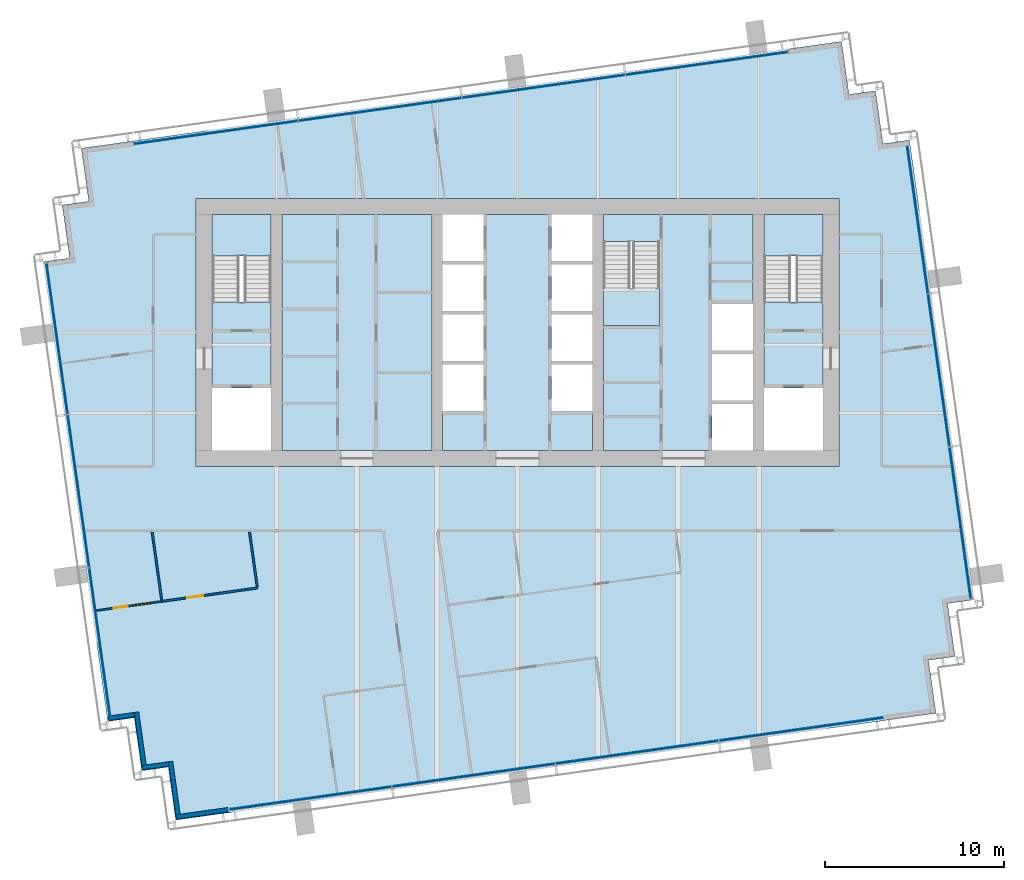
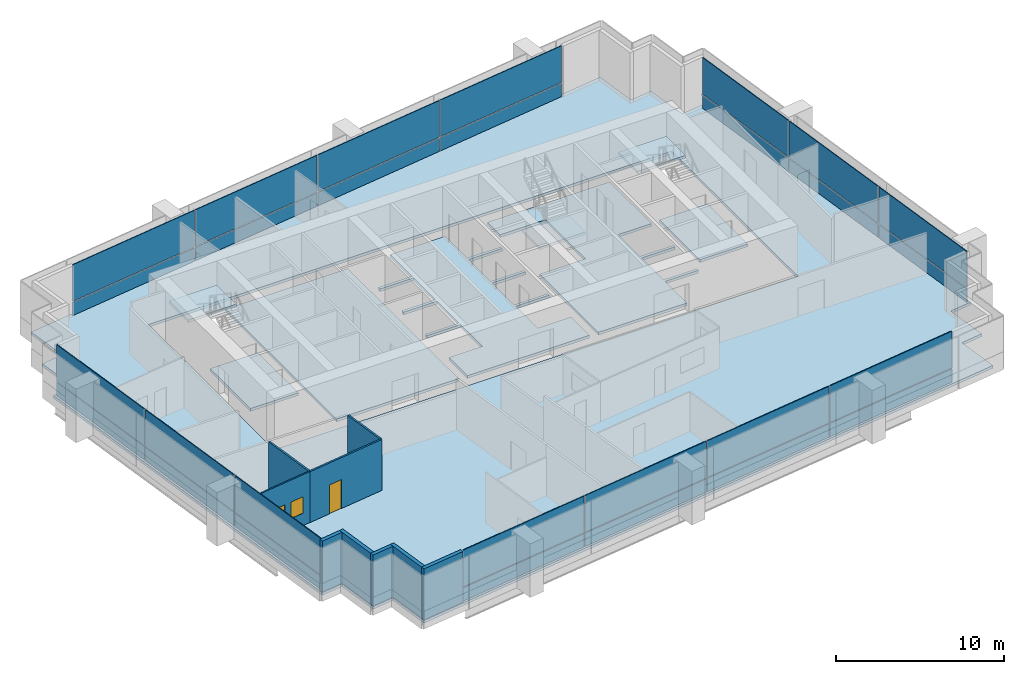
# One storey, part 7 of 15: 28 plates, 9 slabs, 9 walls, 2 doors, 1 window, 3 openings, 7 elements without a shape of their own.
"""IFC4 building model written with IfcOpenShell, lengths in metres."""

from ifc_helpers import new_model, si_unit, direction, frame, frame_2d, origin, origin_2d, place, context, subcontext, project, spatial, polyline, rectangle, outline, extrude, material, layer, layer_set, type_object, element, fill, aggregate, save


model = new_model("IFC4")

# Units and contexts
model_context = context("Model", 3, precision=1e-05, world=origin(), true_north=direction((0.0, 1.0)))
body_context = subcontext(model_context, "Body", "Model", "MODEL_VIEW")
ifc_project = project(units=[si_unit("LENGTHUNIT", "METRE"), si_unit("AREAUNIT", "SQUARE_METRE"), si_unit("VOLUMEUNIT", "CUBIC_METRE"), si_unit("PLANEANGLEUNIT", "RADIAN"), si_unit("MASSUNIT", "GRAM", prefix="KILO")], contexts=[model_context])

# Site, building, storey
site_placement = place(None, origin())
site = spatial("IfcSite", under=ifc_project, at=site_placement, CompositionType="ELEMENT")
building_placement = place(site_placement, origin())
building = spatial("IfcBuilding", under=site, at=building_placement, Name="Rattan Terrace Tower", CompositionType="ELEMENT")
storey_placement = place(building_placement, frame((0.0, 0.0, 262.89990234375)))
storey = spatial("IfcBuildingStorey", under=building, at=storey_placement, Name="L60", CompositionType="ELEMENT", Elevation=262.89990234375)

# Stair, slab
ifc_material_1 = material(Name="Concrete C40/50", Category="concrete")
stair_type = type_object("IfcStairType", Name="Core exit stair 1500", PredefinedType="HALF_TURN_STAIR", material=ifc_material_1)
stair_1_placement = place(storey_placement, origin())
stair_1 = element("IfcStair", 1, at=stair_1_placement, inside=storey, type_object=stair_type, Name="L60 exit stair 1", PredefinedType="HALF_TURN_STAIR")
ifc_material_2 = material(Name="Concrete C40/50", Category="concrete")
ifc_layer_1 = layer(ifc_material_2, 0.199951171875)
ifc_layer_set_1 = layer_set([ifc_layer_1], Name="Core exit stair landing")
slab_type_1 = type_object("IfcSlabType", Name="Core exit stair landing", PredefinedType="LANDING", material=ifc_layer_set_1)
slab_1_placement = place(storey_placement, frame((0.0, 0.0, 1.75)))
slab_1 = element("IfcSlab", 2, at=slab_1_placement, type_object=slab_type_1, Name="S1 landing 1", PredefinedType="LANDING", context=body_context, shape_type="SweptSolid", body=[
    extrude(outline(polyline([(-13.800048828125, 4.300048828125), (-13.800048828125, 6.60009765625), (-17.10009765625, 6.60009765625), (-17.10009765625, 4.300048828125), (-13.800048828125, 4.300048828125)])), origin(), (0.0, 0.0, 1.0), 0.2001953125),
])
aggregate(stair_1, [slab_1])

stair_2_placement = place(storey_placement, origin())
stair_2 = element("IfcStair", 3, at=stair_2_placement, inside=storey, type_object=stair_type, Name="L60 exit stair 2", PredefinedType="HALF_TURN_STAIR")
slab_2_placement = place(storey_placement, frame((0.0, 0.0, 1.75)))
slab_2 = element("IfcSlab", 4, at=slab_2_placement, type_object=slab_type_1, Name="S2 landing 1", PredefinedType="LANDING", context=body_context, shape_type="SweptSolid", body=[
    extrude(outline(polyline([(17.10009765625, 4.300048828125), (17.10009765625, 6.60009765625), (13.800048828125, 6.60009765625), (13.800048828125, 4.300048828125), (17.10009765625, 4.300048828125)])), origin(), (0.0, 0.0, 1.0), 0.2001953125),
])
aggregate(stair_2, [slab_2])

stair_3_placement = place(storey_placement, origin())
stair_3 = element("IfcStair", 5, at=stair_3_placement, inside=storey, type_object=stair_type, Name="L60 exit stair 3", PredefinedType="HALF_TURN_STAIR")
slab_3_placement = place(storey_placement, frame((0.0, 0.0, 1.75)))
slab_3 = element("IfcSlab", 6, at=slab_3_placement, type_object=slab_type_1, Name="S3 landing 1", PredefinedType="LANDING", context=body_context, shape_type="SweptSolid", body=[
    extrude(outline(polyline([(4.800048828125, 2.5), (4.800048828125, 0.39990234375), (7.949951171875, 0.39990234375), (7.949951171875, 2.5), (4.800048828125, 2.5)])), origin(), (0.0, 0.0, 1.0), 0.2001953125),
])
aggregate(stair_3, [slab_3])

# Slabs
ifc_material_3 = material(Name="Concrete C35/45", Category="concrete")
ifc_layer_2 = layer(ifc_material_3, 0.199951171875)
ifc_layer_set_2 = layer_set([ifc_layer_2], Name="Frame composite floor slab 200")
slab_type_2 = type_object("IfcSlabType", Name="Frame composite floor slab 200", PredefinedType="FLOOR", material=ifc_layer_set_2)
slab_4_placement = place(storey_placement, frame((0.0, 0.0, -0.199951171875)))
element("IfcSlab", 7, at=slab_4_placement, inside=storey, type_object=slab_type_2, Name="Floor slab", PredefinedType="FLOOR", context=body_context, shape_type="SweptSolid", body=[
    extrude(outline(polyline([(-16.176025390625, -26.889892578125), (20.464111328125, -21.739990234375), (23.43505859375, -21.322998046875), (23.01806640625, -18.35205078125), (24.5029296875, -18.14306640625), (24.0849609375, -15.173095703125), (25.571044921875, -14.964111328125), (21.951904296875, 10.782958984375), (20.467041015625, 10.573974609375), (20.049072265625, 13.544921875), (18.56396484375, 13.3369140625), (18.14599609375, 16.306884765625), (15.176025390625, 15.889892578125), (-21.464111328125, 10.739990234375), (-24.43505859375, 10.322998046875), (-24.01806640625, 7.35205078125), (-25.5029296875, 7.14306640625), (-25.0849609375, 4.173095703125), (-26.571044921875, 3.964111328125), (-22.951904296875, -21.782958984375), (-21.467041015625, -21.573974609375), (-21.049072265625, -24.544921875), (-19.56396484375, -24.3369140625), (-19.14599609375, -27.306884765625), (-16.176025390625, -26.889892578125)]), holes=[polyline([(-18.0, -7.5), (18.0, -7.5), (18.0, -6.60009765625), (18.0, 6.60009765625), (18.0, 7.5), (-18.0, 7.5), (-18.0, 6.60009765625), (-18.0, -6.60009765625), (-18.0, -7.5)])]), origin(), (0.0, 0.0, 1.0), 0.199951171875),
])
slab_5_placement = place(storey_placement, frame((0.0, 0.0, -0.199951171875)))
element("IfcSlab", 8, at=slab_5_placement, inside=storey, type_object=slab_type_2, Name="Floor slab", PredefinedType="FLOOR", context=body_context, shape_type="SweptSolid", body=[
    extrude(outline(polyline([(13.199951171875, 6.60009765625), (4.800048828125, 6.60009765625), (4.800048828125, 5.090087890625), (7.949951171875, 5.090087890625), (7.949951171875, 0.39990234375), (4.800048828125, 0.39990234375), (4.800048828125, -6.60009765625), (10.89990234375, -6.60009765625), (10.89990234375, -4.0), (13.199951171875, -4.0), (13.199951171875, -3.800048828125), (10.89990234375, -3.800048828125), (10.89990234375, -1.199951171875), (13.199951171875, -1.199951171875), (13.199951171875, -1.0), (10.89990234375, -1.0), (10.89990234375, 1.60009765625), (13.199951171875, 1.60009765625), (13.199951171875, 6.60009765625)])), origin(), (0.0, 0.0, 1.0), 0.199951171875),
])
slab_6_placement = place(storey_placement, frame((0.0, 0.0, -0.199951171875)))
element("IfcSlab", 9, at=slab_6_placement, inside=storey, type_object=slab_type_2, Name="Floor slab", PredefinedType="FLOOR", context=body_context, shape_type="SweptSolid", body=[
    extrude(outline(polyline([(1.89990234375, 6.60009765625), (-1.89990234375, 6.60009765625), (-1.89990234375, 4.0), (-4.199951171875, 4.0), (-4.199951171875, 3.800048828125), (-1.89990234375, 3.800048828125), (-1.89990234375, 1.199951171875), (-4.199951171875, 1.199951171875), (-4.199951171875, 1.0), (-1.89990234375, 1.0), (-1.89990234375, -1.60009765625), (-4.199951171875, -1.60009765625), (-4.199951171875, -1.800048828125), (-1.89990234375, -1.800048828125), (-1.89990234375, -4.39990234375), (-4.199951171875, -4.39990234375), (-4.199951171875, -6.60009765625), (4.199951171875, -6.60009765625), (4.199951171875, -4.39990234375), (1.89990234375, -4.39990234375), (1.89990234375, -1.800048828125), (4.199951171875, -1.800048828125), (4.199951171875, -1.60009765625), (1.89990234375, -1.60009765625), (1.89990234375, 1.0), (4.199951171875, 1.0), (4.199951171875, 1.199951171875), (1.89990234375, 1.199951171875), (1.89990234375, 3.800048828125), (4.199951171875, 3.800048828125), (4.199951171875, 4.0), (1.89990234375, 4.0), (1.89990234375, 6.60009765625)])), origin(), (0.0, 0.0, 1.0), 0.199951171875),
])
slab_7_placement = place(storey_placement, frame((0.0, 0.0, -0.199951171875)))
element("IfcSlab", 10, at=slab_7_placement, inside=storey, type_object=slab_type_2, Name="Floor slab", PredefinedType="FLOOR", context=body_context, shape_type="SweptSolid", body=[
    extrude(outline(polyline([(-17.10009765625, -3.10009765625), (-13.800048828125, -3.10009765625), (-13.800048828125, 1.7099609375), (-17.10009765625, 1.7099609375), (-17.10009765625, -3.10009765625)])), origin(), (0.0, 0.0, 1.0), 0.199951171875),
])
slab_8_placement = place(storey_placement, frame((0.0, 0.0, -0.199951171875)))
element("IfcSlab", 11, at=slab_8_placement, inside=storey, type_object=slab_type_2, Name="Floor slab", PredefinedType="FLOOR", context=body_context, shape_type="SweptSolid", body=[
    extrude(outline(polyline([(-4.800048828125, -6.60009765625), (-4.800048828125, 6.60009765625), (-13.199951171875, 6.60009765625), (-13.199951171875, -6.60009765625), (-4.800048828125, -6.60009765625)])), origin(), (0.0, 0.0, 1.0), 0.199951171875),
])
slab_9_placement = place(storey_placement, frame((0.0, 0.0, -0.199951171875)))
element("IfcSlab", 12, at=slab_9_placement, inside=storey, type_object=slab_type_2, Name="Floor slab", PredefinedType="FLOOR", context=body_context, shape_type="SweptSolid", body=[
    extrude(outline(polyline([(13.800048828125, -3.10009765625), (17.10009765625, -3.10009765625), (17.10009765625, 1.7099609375), (13.800048828125, 1.7099609375), (13.800048828125, -3.10009765625)])), origin(), (0.0, 0.0, 1.0), 0.199951171875),
])

# Curtain wall, plates
ifc_material_4 = material(Name="Aluminium and laminated glass", Category="aluminium")
ifc_layer_3 = layer(ifc_material_4, 0.199951171875)
ifc_layer_set_3 = layer_set([ifc_layer_3], Name="High-Zone Unitised Curtain Wall")
curtain_wall_type = type_object("IfcCurtainWallType", Name="High-Zone Unitised Curtain Wall", PredefinedType="NOTDEFINED", material=ifc_layer_set_3)
curtain_wall_1_placement = place(storey_placement, origin())
curtain_wall_1 = element("IfcCurtainWall", 13, at=curtain_wall_1_placement, inside=storey, type_object=curtain_wall_type, Name="High-zone curtain wall L60-1", PredefinedType="NOTDEFINED")
ifc_material_5 = material(Name="Aluminium insulated spandrel panel", Category="aluminium")
ifc_layer_4 = layer(ifc_material_5, 0.050048828125)
ifc_layer_set_4 = layer_set([ifc_layer_4], Name="High-Zone CW Spandrel Panel")
plate_type_1 = type_object("IfcPlateType", Name="High-Zone CW Spandrel Panel", PredefinedType="CURTAIN_PANEL", material=ifc_layer_set_4)
plate_1_placement = place(storey_placement, frame((24.7939453125, -10.65673828125, 0.0), z_axis=(0.0, 0.0, 1.0), x_axis=(-0.139191775431, 0.990265444036, 0.0)))
plate_1 = element("IfcPlate", 14, at=plate_1_placement, type_object=plate_type_1, Name="Panel cwl-L60-001.1.1", PredefinedType="CURTAIN_PANEL", context=body_context, shape_type="SweptSolid", body=[
    extrude(rectangle(XDim=8.51708984375, YDim=0.050048828125, at=origin_2d()), origin(), (0.0, 0.0, 1.0), 0.965087890625),
])
plate_2_placement = place(storey_placement, frame((23.593017578125, -2.11376953125, 0.0), z_axis=(0.0, 0.0, 1.0), x_axis=(-0.139191775431, 0.990265444036, 0.0)))
plate_2 = element("IfcPlate", 15, at=plate_2_placement, type_object=plate_type_1, Name="Panel cwl-L60-001.2.1", PredefinedType="CURTAIN_PANEL", context=body_context, shape_type="SweptSolid", body=[
    extrude(rectangle(XDim=8.596923828125, YDim=0.050048828125, at=origin_2d()), origin(), (0.0, 0.0, 1.0), 0.965087890625),
])
plate_3_placement = place(storey_placement, frame((22.40478515625, 6.339599609375, 0.0), z_axis=(0.0, 0.0, 1.0), x_axis=(-0.139191775431, 0.990265444036, 0.0)))
plate_3 = element("IfcPlate", 16, at=plate_3_placement, type_object=plate_type_1, Name="Panel cwl-L60-001.3.1", PredefinedType="CURTAIN_PANEL", context=body_context, shape_type="SweptSolid", body=[
    extrude(rectangle(XDim=8.336181640625, YDim=0.050048828125, at=origin_2d()), origin(), (0.0, 0.0, 1.0), 0.965087890625),
])

curtain_wall_2_placement = place(storey_placement, origin())
curtain_wall_2 = element("IfcCurtainWall", 17, at=curtain_wall_2_placement, inside=storey, type_object=curtain_wall_type, Name="High-zone curtain wall L60-2", PredefinedType="NOTDEFINED")
plate_4_placement = place(storey_placement, frame((10.602783203125, 15.075439453125, 0.0), z_axis=(0.0, 0.0, 1.0), x_axis=(-0.990265894013, -0.139188574079, 0.0)))
plate_4 = element("IfcPlate", 18, at=plate_4_placement, type_object=plate_type_1, Name="Panel cwl-L60-002.1.1", PredefinedType="CURTAIN_PANEL", context=body_context, shape_type="SweptSolid", body=[
    extrude(rectangle(XDim=9.14404296875, YDim=0.050048828125, at=origin_2d()), origin(), (0.0, 0.0, 1.0), 0.965087890625),
])
plate_5_placement = place(storey_placement, frame((1.461181640625, 13.79052734375, 0.0), z_axis=(0.0, 0.0, 1.0), x_axis=(-0.990265894013, -0.139188574079, 0.0)))
plate_5 = element("IfcPlate", 19, at=plate_5_placement, type_object=plate_type_1, Name="Panel cwl-L60-002.2.1", PredefinedType="CURTAIN_PANEL", context=body_context, shape_type="SweptSolid", body=[
    extrude(rectangle(XDim=9.178955078125, YDim=0.050048828125, at=origin_2d()), origin(), (0.0, 0.0, 1.0), 0.965087890625),
])
plate_6_placement = place(storey_placement, frame((-7.69775390625, 12.503173828125, 0.0), z_axis=(0.0, 0.0, 1.0), x_axis=(-0.990265894013, -0.139188574079, 0.0)))
plate_6 = element("IfcPlate", 20, at=plate_6_placement, type_object=plate_type_1, Name="Panel cwl-L60-002.3.1", PredefinedType="CURTAIN_PANEL", context=body_context, shape_type="SweptSolid", body=[
    extrude(rectangle(XDim=9.178955078125, YDim=0.050048828125, at=origin_2d()), origin(), (0.0, 0.0, 1.0), 0.965087890625),
])
plate_7_placement = place(storey_placement, frame((-16.876220703125, 11.213134765625, 0.0), z_axis=(0.0, 0.0, 1.0), x_axis=(-0.990265894013, -0.139188574079, 0.0)))
plate_7 = element("IfcPlate", 21, at=plate_7_placement, type_object=plate_type_1, Name="Panel cwl-L60-002.4.1", PredefinedType="CURTAIN_PANEL", context=body_context, shape_type="SweptSolid", body=[
    extrude(rectangle(XDim=9.21826171875, YDim=0.050048828125, at=origin_2d()), origin(), (0.0, 0.0, 1.0), 0.965087890625),
])

curtain_wall_3_placement = place(storey_placement, origin())
curtain_wall_3 = element("IfcCurtainWall", 22, at=curtain_wall_3_placement, inside=storey, type_object=curtain_wall_type, Name="High-zone curtain wall L60-3", PredefinedType="NOTDEFINED")
plate_8_placement = place(storey_placement, frame((-25.7939453125, -0.34326171875, 0.0), z_axis=(0.0, 0.0, 1.0), x_axis=(0.139191775431, -0.990265444036, 0.0)))
plate_8 = element("IfcPlate", 23, at=plate_8_placement, type_object=plate_type_1, Name="Panel cwl-L60-003.1.1", PredefinedType="CURTAIN_PANEL", context=body_context, shape_type="SweptSolid", body=[
    extrude(rectangle(XDim=8.51708984375, YDim=0.050048828125, at=origin_2d()), origin(), (0.0, 0.0, 1.0), 0.965087890625),
])
plate_9_placement = place(storey_placement, frame((-24.593017578125, -8.88623046875, 0.0), z_axis=(0.0, 0.0, 1.0), x_axis=(0.139191775431, -0.990265444036, 0.0)))
plate_9 = element("IfcPlate", 24, at=plate_9_placement, type_object=plate_type_1, Name="Panel cwl-L60-003.2.1", PredefinedType="CURTAIN_PANEL", context=body_context, shape_type="SweptSolid", body=[
    extrude(rectangle(XDim=8.596923828125, YDim=0.050048828125, at=origin_2d()), origin(), (0.0, 0.0, 1.0), 0.965087890625),
])
plate_10_placement = place(storey_placement, frame((-23.40478515625, -17.339599609375, 0.0), z_axis=(0.0, 0.0, 1.0), x_axis=(0.139191775431, -0.990265444036, 0.0)))
plate_10 = element("IfcPlate", 25, at=plate_10_placement, type_object=plate_type_1, Name="Panel cwl-L60-003.3.1", PredefinedType="CURTAIN_PANEL", context=body_context, shape_type="SweptSolid", body=[
    extrude(rectangle(XDim=8.336181640625, YDim=0.050048828125, at=origin_2d()), origin(), (0.0, 0.0, 1.0), 0.965087890625),
])

curtain_wall_4_placement = place(storey_placement, origin())
curtain_wall_4 = element("IfcCurtainWall", 26, at=curtain_wall_4_placement, inside=storey, type_object=curtain_wall_type, Name="High-zone curtain wall L60-4", PredefinedType="NOTDEFINED")
plate_11_placement = place(storey_placement, frame((-11.602783203125, -26.075439453125, 0.0), z_axis=(0.0, 0.0, 1.0), x_axis=(0.990265894013, 0.139188574079, 0.0)))
plate_11 = element("IfcPlate", 27, at=plate_11_placement, type_object=plate_type_1, Name="Panel cwl-L60-004.1.1", PredefinedType="CURTAIN_PANEL", context=body_context, shape_type="SweptSolid", body=[
    extrude(rectangle(XDim=9.14404296875, YDim=0.050048828125, at=origin_2d()), origin(), (0.0, 0.0, 1.0), 0.965087890625),
])
plate_12_placement = place(storey_placement, frame((-2.461181640625, -24.79052734375, 0.0), z_axis=(0.0, 0.0, 1.0), x_axis=(0.990265894013, 0.139188574079, 0.0)))
plate_12 = element("IfcPlate", 28, at=plate_12_placement, type_object=plate_type_1, Name="Panel cwl-L60-004.2.1", PredefinedType="CURTAIN_PANEL", context=body_context, shape_type="SweptSolid", body=[
    extrude(rectangle(XDim=9.178955078125, YDim=0.050048828125, at=origin_2d()), origin(), (0.0, 0.0, 1.0), 0.965087890625),
])
plate_13_placement = place(storey_placement, frame((6.69775390625, -23.503173828125, 0.0), z_axis=(0.0, 0.0, 1.0), x_axis=(0.990265894013, 0.139188574079, 0.0)))
plate_13 = element("IfcPlate", 29, at=plate_13_placement, type_object=plate_type_1, Name="Panel cwl-L60-004.3.1", PredefinedType="CURTAIN_PANEL", context=body_context, shape_type="SweptSolid", body=[
    extrude(rectangle(XDim=9.178955078125, YDim=0.050048828125, at=origin_2d()), origin(), (0.0, 0.0, 1.0), 0.965087890625),
])
plate_14_placement = place(storey_placement, frame((15.876220703125, -22.213134765625, 0.0), z_axis=(0.0, 0.0, 1.0), x_axis=(0.990265894013, 0.139188574079, 0.0)))
plate_14 = element("IfcPlate", 30, at=plate_14_placement, type_object=plate_type_1, Name="Panel cwl-L60-004.4.1", PredefinedType="CURTAIN_PANEL", context=body_context, shape_type="SweptSolid", body=[
    extrude(rectangle(XDim=9.21826171875, YDim=0.050048828125, at=origin_2d()), origin(), (0.0, 0.0, 1.0), 0.965087890625),
])

# Plate
ifc_material_6 = material(Name="Laminated low-iron glass", Category="glass")
ifc_layer_5 = layer(ifc_material_6, 0.055908203125)
ifc_layer_set_5 = layer_set([ifc_layer_5], Name="High-Zone CW Vision Panel")
plate_type_2 = type_object("IfcPlateType", Name="High-Zone CW Vision Panel", PredefinedType="CURTAIN_PANEL", material=ifc_layer_set_5)
plate_15_placement = place(storey_placement, frame((24.7939453125, -10.65673828125, 1.03515625), z_axis=(0.0, 0.0, 1.0), x_axis=(-0.139191775431, 0.990265444036, 0.0)))
plate_15 = element("IfcPlate", 31, at=plate_15_placement, type_object=plate_type_2, Name="Panel cwl-L60-001.1.2", PredefinedType="CURTAIN_PANEL", context=body_context, shape_type="SweptSolid", body=[
    extrude(rectangle(XDim=8.51708984375, YDim=0.055908203125, at=origin_2d()), origin(), (0.0, 0.0, 1.0), 2.6650390625),
])

plate_16_placement = place(storey_placement, frame((23.593017578125, -2.11376953125, 1.03515625), z_axis=(0.0, 0.0, 1.0), x_axis=(-0.139191775431, 0.990265444036, 0.0)))
plate_16 = element("IfcPlate", 32, at=plate_16_placement, type_object=plate_type_2, Name="Panel cwl-L60-001.2.2", PredefinedType="CURTAIN_PANEL", context=body_context, shape_type="SweptSolid", body=[
    extrude(rectangle(XDim=8.596923828125, YDim=0.055908203125, at=origin_2d()), origin(), (0.0, 0.0, 1.0), 2.6650390625),
])

plate_17_placement = place(storey_placement, frame((22.40478515625, 6.339599609375, 1.03515625), z_axis=(0.0, 0.0, 1.0), x_axis=(-0.139191775431, 0.990265444036, 0.0)))
plate_17 = element("IfcPlate", 33, at=plate_17_placement, type_object=plate_type_2, Name="Panel cwl-L60-001.3.2", PredefinedType="CURTAIN_PANEL", context=body_context, shape_type="SweptSolid", body=[
    extrude(rectangle(XDim=8.336181640625, YDim=0.055908203125, at=origin_2d()), origin(), (0.0, 0.0, 1.0), 2.6650390625),
])

aggregate(curtain_wall_1, [plate_1, plate_15, plate_2, plate_16, plate_3, plate_17])

plate_18_placement = place(storey_placement, frame((10.602783203125, 15.075439453125, 1.03515625), z_axis=(0.0, 0.0, 1.0), x_axis=(-0.990265894013, -0.139188574079, 0.0)))
plate_18 = element("IfcPlate", 34, at=plate_18_placement, type_object=plate_type_2, Name="Panel cwl-L60-002.1.2", PredefinedType="CURTAIN_PANEL", context=body_context, shape_type="SweptSolid", body=[
    extrude(rectangle(XDim=9.14404296875, YDim=0.055908203125, at=origin_2d()), origin(), (0.0, 0.0, 1.0), 2.6650390625),
])

plate_19_placement = place(storey_placement, frame((1.461181640625, 13.79052734375, 1.03515625), z_axis=(0.0, 0.0, 1.0), x_axis=(-0.990265894013, -0.139188574079, 0.0)))
plate_19 = element("IfcPlate", 35, at=plate_19_placement, type_object=plate_type_2, Name="Panel cwl-L60-002.2.2", PredefinedType="CURTAIN_PANEL", context=body_context, shape_type="SweptSolid", body=[
    extrude(rectangle(XDim=9.178955078125, YDim=0.055908203125, at=origin_2d()), origin(), (0.0, 0.0, 1.0), 2.6650390625),
])

plate_20_placement = place(storey_placement, frame((-7.69775390625, 12.503173828125, 1.03515625), z_axis=(0.0, 0.0, 1.0), x_axis=(-0.990265894013, -0.139188574079, 0.0)))
plate_20 = element("IfcPlate", 36, at=plate_20_placement, type_object=plate_type_2, Name="Panel cwl-L60-002.3.2", PredefinedType="CURTAIN_PANEL", context=body_context, shape_type="SweptSolid", body=[
    extrude(rectangle(XDim=9.178955078125, YDim=0.055908203125, at=origin_2d()), origin(), (0.0, 0.0, 1.0), 2.6650390625),
])

plate_21_placement = place(storey_placement, frame((-16.876220703125, 11.213134765625, 1.03515625), z_axis=(0.0, 0.0, 1.0), x_axis=(-0.990265894013, -0.139188574079, 0.0)))
plate_21 = element("IfcPlate", 37, at=plate_21_placement, type_object=plate_type_2, Name="Panel cwl-L60-002.4.2", PredefinedType="CURTAIN_PANEL", context=body_context, shape_type="SweptSolid", body=[
    extrude(rectangle(XDim=9.21826171875, YDim=0.055908203125, at=origin_2d()), origin(), (0.0, 0.0, 1.0), 2.6650390625),
])

aggregate(curtain_wall_2, [plate_4, plate_18, plate_5, plate_19, plate_6, plate_20, plate_7, plate_21])

plate_22_placement = place(storey_placement, frame((-25.7939453125, -0.34326171875, 1.03515625), z_axis=(0.0, 0.0, 1.0), x_axis=(0.139191775431, -0.990265444036, 0.0)))
plate_22 = element("IfcPlate", 38, at=plate_22_placement, type_object=plate_type_2, Name="Panel cwl-L60-003.1.2", PredefinedType="CURTAIN_PANEL", context=body_context, shape_type="SweptSolid", body=[
    extrude(rectangle(XDim=8.51708984375, YDim=0.055908203125, at=origin_2d()), origin(), (0.0, 0.0, 1.0), 2.6650390625),
])

plate_23_placement = place(storey_placement, frame((-24.593017578125, -8.88623046875, 1.03515625), z_axis=(0.0, 0.0, 1.0), x_axis=(0.139191775431, -0.990265444036, 0.0)))
plate_23 = element("IfcPlate", 39, at=plate_23_placement, type_object=plate_type_2, Name="Panel cwl-L60-003.2.2", PredefinedType="CURTAIN_PANEL", context=body_context, shape_type="SweptSolid", body=[
    extrude(rectangle(XDim=8.596923828125, YDim=0.055908203125, at=origin_2d()), origin(), (0.0, 0.0, 1.0), 2.6650390625),
])

plate_24_placement = place(storey_placement, frame((-23.40478515625, -17.339599609375, 1.03515625), z_axis=(0.0, 0.0, 1.0), x_axis=(0.139191775431, -0.990265444036, 0.0)))
plate_24 = element("IfcPlate", 40, at=plate_24_placement, type_object=plate_type_2, Name="Panel cwl-L60-003.3.2", PredefinedType="CURTAIN_PANEL", context=body_context, shape_type="SweptSolid", body=[
    extrude(rectangle(XDim=8.336181640625, YDim=0.055908203125, at=origin_2d()), origin(), (0.0, 0.0, 1.0), 2.6650390625),
])

aggregate(curtain_wall_3, [plate_8, plate_22, plate_9, plate_23, plate_10, plate_24])

plate_25_placement = place(storey_placement, frame((-11.602783203125, -26.075439453125, 1.03515625), z_axis=(0.0, 0.0, 1.0), x_axis=(0.990265894013, 0.139188574079, 0.0)))
plate_25 = element("IfcPlate", 41, at=plate_25_placement, type_object=plate_type_2, Name="Panel cwl-L60-004.1.2", PredefinedType="CURTAIN_PANEL", context=body_context, shape_type="SweptSolid", body=[
    extrude(rectangle(XDim=9.14404296875, YDim=0.055908203125, at=origin_2d()), origin(), (0.0, 0.0, 1.0), 2.6650390625),
])

plate_26_placement = place(storey_placement, frame((-2.461181640625, -24.79052734375, 1.03515625), z_axis=(0.0, 0.0, 1.0), x_axis=(0.990265894013, 0.139188574079, 0.0)))
plate_26 = element("IfcPlate", 42, at=plate_26_placement, type_object=plate_type_2, Name="Panel cwl-L60-004.2.2", PredefinedType="CURTAIN_PANEL", context=body_context, shape_type="SweptSolid", body=[
    extrude(rectangle(XDim=9.178955078125, YDim=0.055908203125, at=origin_2d()), origin(), (0.0, 0.0, 1.0), 2.6650390625),
])

plate_27_placement = place(storey_placement, frame((6.69775390625, -23.503173828125, 1.03515625), z_axis=(0.0, 0.0, 1.0), x_axis=(0.990265894013, 0.139188574079, 0.0)))
plate_27 = element("IfcPlate", 43, at=plate_27_placement, type_object=plate_type_2, Name="Panel cwl-L60-004.3.2", PredefinedType="CURTAIN_PANEL", context=body_context, shape_type="SweptSolid", body=[
    extrude(rectangle(XDim=9.178955078125, YDim=0.055908203125, at=origin_2d()), origin(), (0.0, 0.0, 1.0), 2.6650390625),
])

plate_28_placement = place(storey_placement, frame((15.876220703125, -22.213134765625, 1.03515625), z_axis=(0.0, 0.0, 1.0), x_axis=(0.990265894013, 0.139188574079, 0.0)))
plate_28 = element("IfcPlate", 44, at=plate_28_placement, type_object=plate_type_2, Name="Panel cwl-L60-004.4.2", PredefinedType="CURTAIN_PANEL", context=body_context, shape_type="SweptSolid", body=[
    extrude(rectangle(XDim=9.21826171875, YDim=0.055908203125, at=origin_2d()), origin(), (0.0, 0.0, 1.0), 2.6650390625),
])

aggregate(curtain_wall_4, [plate_11, plate_25, plate_12, plate_26, plate_13, plate_27, plate_14, plate_28])

# Walls
ifc_material_7 = material(Name="Insulated aluminium-clad stud wall", Category="aluminium")
ifc_layer_6 = layer(ifc_material_7, 0.25)
ifc_layer_set_6 = layer_set([ifc_layer_6], Name="Facade Riser Wall 250")
wall_type_1 = type_object("IfcWallType", Name="Facade Riser Wall 250", PredefinedType="SOLIDWALL", material=ifc_layer_set_6)
wall_1_placement = place(storey_placement, frame((-22.90625, -21.60498046875, 0.0), z_axis=(0.0, 0.0, 1.0), x_axis=(0.990235520307, 0.13940449893, 0.0)))
element("IfcWall", 45, at=wall_1_placement, inside=storey, type_object=wall_type_1, Name="Riser wall L60-16", PredefinedType="SOLIDWALL", context=body_context, shape_type="SweptSolid", body=[
    extrude(rectangle(XDim=1.474609375, YDim=0.25, at=frame_2d((0.7373046875, 0.0))), origin(), (0.0, 0.0, 1.0), 3.7001953125),
])
wall_2_placement = place(storey_placement, frame((-21.33984375, -21.25830078125, 0.0), z_axis=(0.0, 0.0, 1.0), x_axis=(0.139393225799, -0.990237107263, 0.0)))
element("IfcWall", 46, at=wall_2_placement, inside=storey, type_object=wall_type_1, Name="Riser wall L60-17", PredefinedType="SOLIDWALL", context=body_context, shape_type="SweptSolid", body=[
    extrude(rectangle(XDim=3.000244140625, YDim=0.25, at=frame_2d((1.5, 0.0))), origin(), (0.0, 0.0, 1.0), 3.7001953125),
])
wall_3_placement = place(storey_placement, frame((-21.028076171875, -24.370361328125, 0.0), z_axis=(0.0, 0.0, 1.0), x_axis=(0.990330117064, 0.138730887823, 0.0)))
element("IfcWall", 47, at=wall_3_placement, inside=storey, type_object=wall_type_1, Name="Riser wall L60-18", PredefinedType="SOLIDWALL", context=body_context, shape_type="SweptSolid", body=[
    extrude(rectangle(XDim=1.499267578125, YDim=0.25, at=frame_2d((0.74951171875, 0.0))), origin(), (0.0, 0.0, 1.0), 3.7001953125),
])
wall_4_placement = place(storey_placement, frame((-19.436767578125, -24.021240234375, 0.0), z_axis=(0.0, 0.0, 1.0), x_axis=(0.139358350296, -0.990242015975, 0.0)))
element("IfcWall", 48, at=wall_4_placement, inside=storey, type_object=wall_type_1, Name="Riser wall L60-19", PredefinedType="SOLIDWALL", context=body_context, shape_type="SweptSolid", body=[
    extrude(rectangle(XDim=2.999267578125, YDim=0.25, at=frame_2d((1.49951171875, 0.0))), origin(), (0.0, 0.0, 1.0), 3.7001953125),
])
wall_5_placement = place(storey_placement, frame((-19.125244140625, -27.13232421875, 0.0), z_axis=(0.0, 0.0, 1.0), x_axis=(0.990291981483, 0.139002846771, 0.0)))
element("IfcWall", 49, at=wall_5_placement, inside=storey, type_object=wall_type_1, Name="Riser wall L60-20", PredefinedType="SOLIDWALL", context=body_context, shape_type="SweptSolid", body=[
    extrude(rectangle(XDim=2.9541015625, YDim=0.25, at=frame_2d((1.47705078125, 0.0))), origin(), (0.0, 0.0, 1.0), 3.7001953125),
])

# Wall, openings, door, window
ifc_material_8 = material(Name="Gypsum board partition on steel studs", Category="steel")
ifc_layer_7 = layer(ifc_material_8, 0.10009765625)
ifc_layer_set_7 = layer_set([ifc_layer_7], Name="Floors Partition 100")
wall_type_2 = type_object("IfcWallType", Name="Floors Partition 100", PredefinedType="PARTITIONING", material=ifc_layer_set_7)
wall_6_placement = place(storey_placement, frame((-23.56298828125, -15.56689453125, 0.0), z_axis=(0.0, 0.0, 1.0), x_axis=(0.990288176908, 0.139029948846, 0.0)))
wall_6 = element("IfcWall", 50, at=wall_6_placement, inside=storey, type_object=wall_type_2, Name="pt-L60-022", PredefinedType="PARTITIONING", context=body_context, shape_type="SweptSolid", body=[
    extrude(rectangle(XDim=3.65966796875, YDim=0.10009765625, at=frame_2d((1.829833984375, 0.0))), origin(), (0.0, 0.0, 1.0), 3.7001953125),
])
opening_1_placement = place(wall_6_placement, frame((0.9580078125, 0.0, 0.0)))
opening_1 = element("IfcOpeningElement", 51, at=opening_1_placement, cuts=wall_6, Name="Opening L60-D102", PredefinedType="OPENING", context=body_context, shape_type="SweptSolid", body=[
    extrude(rectangle(XDim=0.800048828125, YDim=2.10009765625, at=frame_2d((0.39990234375, 1.050048828125))), frame((0.0, 0.060546875, 0.0), z_axis=(0.0, -1.0, 0.0), x_axis=(1.0, 0.0, 0.0)), (0.0, 0.0, 1.0), 0.12109375),
])
opening_2_placement = place(wall_6_placement, frame((2.239013671875, 0.0, 0.89990234375)))
opening_2 = element("IfcOpeningElement", 52, at=opening_2_placement, cuts=wall_6, Name="Opening L60-W100", PredefinedType="OPENING", context=body_context, shape_type="SweptSolid", body=[
    extrude(rectangle(XDim=0.89990234375, YDim=1.199951171875, at=frame_2d((0.449951171875, 0.60009765625))), frame((0.0, 0.060546875, 0.0), z_axis=(0.0, -1.0, 0.0), x_axis=(1.0, 0.0, 0.0)), (0.0, 0.0, 1.0), 0.12109375),
])
ifc_material_9 = material(Name="Solid core timber door, painted", Category="wood")
door_type_1 = type_object("IfcDoorType", Name="Floors Store Door 800x2100", OperationType="NOTDEFINED", PredefinedType="DOOR", material=ifc_material_9)
door_1_placement = place(opening_1_placement, origin())
door_1 = element("IfcDoor", 53, at=door_1_placement, inside=storey, type_object=door_type_1, Name="d-L60-102", OperationType="SINGLE_SWING_LEFT", OverallHeight=2.10009765625, OverallWidth=0.800048828125, PredefinedType="DOOR", context=body_context, shape_type="SweptSolid", body=[
    extrude(rectangle(XDim=0.800048828125, YDim=2.10009765625, at=frame_2d((0.39990234375, 1.050048828125))), frame((0.0, 0.02490234375, 0.0), z_axis=(0.0, -1.0, 0.0), x_axis=(1.0, 0.0, 0.0)), (0.0, 0.0, 1.0), 0.050048828125),
])
fill(opening_1, door_1)
ifc_material_10 = material(Name="Glass, clear, fixed in aluminium frame", Category="aluminium")
window_type = type_object("IfcWindowType", Name="Interior Vision Window 900x1200", PartitioningType="SINGLE_PANEL", PredefinedType="WINDOW", material=ifc_material_10)
window_placement = place(opening_2_placement, origin())
window = element("IfcWindow", 54, at=window_placement, inside=storey, type_object=window_type, Name="w-L60-100", OverallHeight=1.199951171875, OverallWidth=0.89990234375, PartitioningType="SINGLE_PANEL", PredefinedType="WINDOW", context=body_context, shape_type="SweptSolid", body=[
    extrude(rectangle(XDim=0.89990234375, YDim=1.199951171875, at=frame_2d((0.449951171875, 0.60009765625))), frame((0.0, 0.030029296875, 0.0), z_axis=(0.0, -1.0, 0.0), x_axis=(1.0, 0.0, 0.0)), (0.0, 0.0, 1.0), 0.06005859375),
])
fill(opening_2, window)

# Wall, opening, door
ifc_material_11 = material(Name="Moisture resistant gypsum board partition on steel studs with service cavity", Category="steel")
ifc_layer_8 = layer(ifc_material_11, 0.1201171875)
ifc_layer_set_8 = layer_set([ifc_layer_8], Name="Floors Wet Wall 120")
wall_type_3 = type_object("IfcWallType", Name="Floors Wet Wall 120", PredefinedType="PARTITIONING", material=ifc_layer_set_8)
wall_7_placement = place(storey_placement, frame((-19.93896484375, -15.05810546875, 0.0), z_axis=(0.0, 0.0, 1.0), x_axis=(0.99027122958, 0.139150608569, 0.0)))
wall_7 = element("IfcWall", 55, at=wall_7_placement, inside=storey, type_object=wall_type_3, Name="pt-L60-023", PredefinedType="PARTITIONING", context=body_context, shape_type="SweptSolid", body=[
    extrude(rectangle(XDim=5.419677734375, YDim=0.1201171875, at=frame_2d((2.7099609375, 0.0))), origin(), (0.0, 0.0, 1.0), 3.7001953125),
])
opening_3_placement = place(wall_7_placement, frame((1.4560546875, 0.0, 0.0)))
opening_3 = element("IfcOpeningElement", 56, at=opening_3_placement, cuts=wall_7, Name="Opening L60-D103", PredefinedType="OPENING", context=body_context, shape_type="SweptSolid", body=[
    extrude(rectangle(XDim=0.89990234375, YDim=2.10009765625, at=frame_2d((0.449951171875, 1.050048828125))), frame((0.0, 0.070556640625, 0.0), z_axis=(0.0, -1.0, 0.0), x_axis=(1.0, 0.0, 0.0)), (0.0, 0.0, 1.0), 0.14111328125),
])
ifc_material_12 = material(Name="Solid core timber door, painted", Category="wood")
door_type_2 = type_object("IfcDoorType", Name="Floors Door 900x2100", OperationType="NOTDEFINED", PredefinedType="DOOR", material=ifc_material_12)
door_2_placement = place(opening_3_placement, origin())
door_2 = element("IfcDoor", 57, at=door_2_placement, inside=storey, type_object=door_type_2, Name="d-L60-103", OperationType="SINGLE_SWING_LEFT", OverallHeight=2.10009765625, OverallWidth=0.89990234375, PredefinedType="DOOR", context=body_context, shape_type="SweptSolid", body=[
    extrude(rectangle(XDim=0.89990234375, YDim=2.10009765625, at=frame_2d((0.449951171875, 1.050048828125))), frame((0.0, 0.02490234375, 0.0), z_axis=(0.0, -1.0, 0.0), x_axis=(1.0, 0.0, 0.0)), (0.0, 0.0, 1.0), 0.050048828125),
])
fill(opening_3, door_2)

# Walls
wall_8_placement = place(storey_placement, frame((-14.580078125, -14.243896484375, 0.0), z_axis=(0.0, 0.0, 1.0), x_axis=(-0.139309006135, 0.990248959005, 0.0)))
element("IfcWall", 58, at=wall_8_placement, inside=storey, type_object=wall_type_3, Name="pt-L60-024", PredefinedType="PARTITIONING", context=body_context, shape_type="SweptSolid", body=[
    extrude(rectangle(XDim=3.107177734375, YDim=0.1201171875, at=frame_2d((1.5537109375, 0.0))), origin(), (0.0, 0.0, 1.0), 3.7001953125),
])
wall_9_placement = place(storey_placement, frame((-20.466064453125, -11.1669921875, 0.0), z_axis=(0.0, 0.0, 1.0), x_axis=(0.139192901143, -0.990265285806, 0.0)))
element("IfcWall", 59, at=wall_9_placement, inside=storey, type_object=wall_type_3, Name="pt-L60-025", PredefinedType="PARTITIONING", context=body_context, shape_type="SweptSolid", body=[
    extrude(rectangle(XDim=3.86572265625, YDim=0.1201171875, at=frame_2d((1.932861328125, 0.0))), origin(), (0.0, 0.0, 1.0), 3.7001953125),
])

save(model, "model.ifc")
